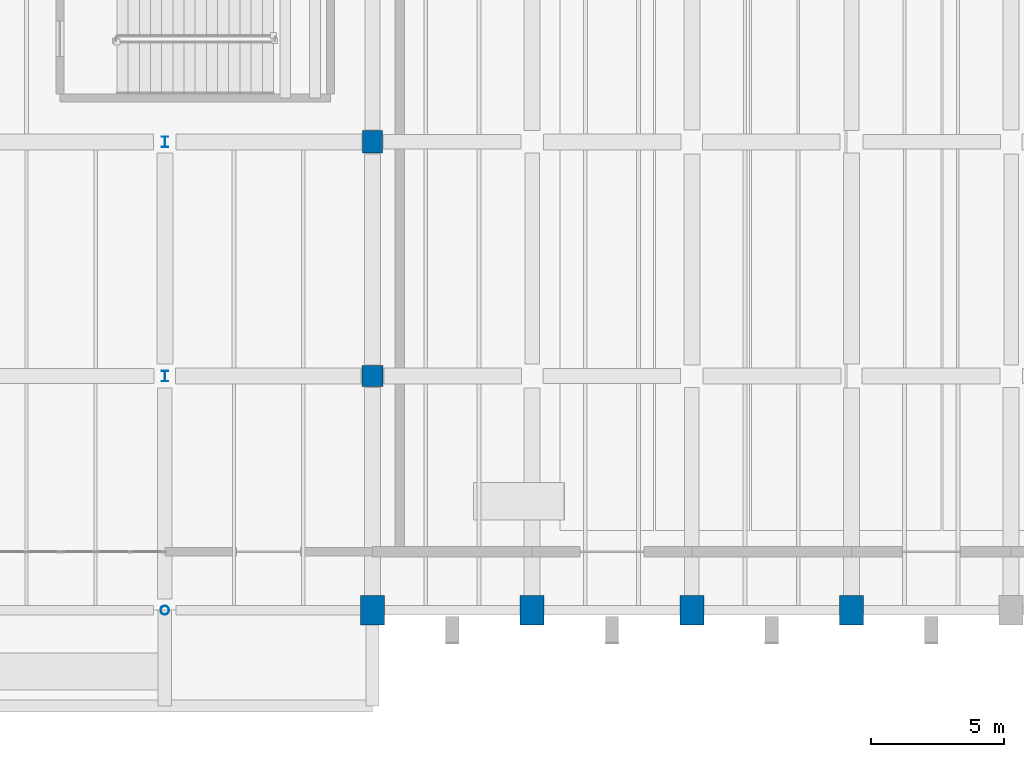
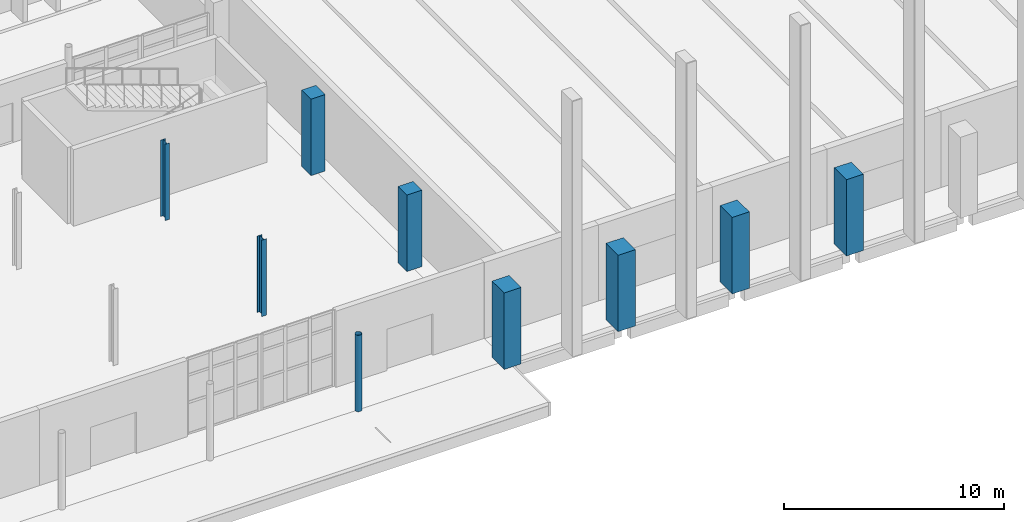
# One storey, part 5 of 76: 9 columns.
"""IFC4 building model written with IfcOpenShell, lengths in metres."""

from ifc_helpers import new_model, si_unit, direction, frame, origin, origin_2d, place, context, subcontext, project, spatial, rectangle, hollow_circle, i_section, extrude, material, material_profile, profile_set, type_object, element, save


model = new_model("IFC4")

# Units and contexts
model_context = context("Model", 3, precision=1e-05, world=origin(), true_north=direction((0.0, 1.0)))
body_context = subcontext(model_context, "Body", "Model", "MODEL_VIEW")
ifc_project = project(units=[si_unit("LENGTHUNIT", "METRE"), si_unit("AREAUNIT", "SQUARE_METRE"), si_unit("VOLUMEUNIT", "CUBIC_METRE"), si_unit("PLANEANGLEUNIT", "RADIAN"), si_unit("MASSUNIT", "GRAM", prefix="KILO")], contexts=[model_context])

# Site, building, storey
site_placement = place(None, origin())
site = spatial("IfcSite", under=ifc_project, at=site_placement, CompositionType="ELEMENT")
building_placement = place(site_placement, origin())
building = spatial("IfcBuilding", under=site, at=building_placement, Name="Varnakota Cinema and Media Centre", CompositionType="ELEMENT")
storey_placement = place(building_placement, origin())
storey = spatial("IfcBuildingStorey", under=building, at=storey_placement, Name="L00", CompositionType="ELEMENT", Elevation=0.0)

# Columns
ifc_material_1 = material(Name="Concrete M40", Category="concrete")
ifc_material_profile_1 = material_profile(ifc_material_1, rectangle(XDim=0.75, YDim=0.85009765625, at=origin_2d()), Name="RC 750x850")
ifc_profile_set_1 = profile_set([ifc_material_profile_1], Name="Concrete M40")
column_type_1 = type_object("IfcColumnType", Name="COL-RC-750x850", PredefinedType="COLUMN", material=ifc_profile_set_1)
column_1_placement = place(storey_placement, frame((75.0, 17.60009765625, 0.0), z_axis=(0.0, 0.0, 1.0), x_axis=(1.0, 0.0, 0.0)))
element("IfcColumn", 1, at=column_1_placement, inside=storey, type_object=column_type_1, Name="L00 column K/3", PredefinedType="COLUMN", context=body_context, shape_type="SweptSolid", body=[
    extrude(rectangle(XDim=0.75, YDim=0.85009765625, at=origin_2d()), origin(), (0.0, 0.0, 1.0), 4.25),
])
ifc_material_2 = material(Name="Concrete M40", Category="concrete")
ifc_material_profile_2 = material_profile(ifc_material_2, rectangle(XDim=0.800048828125, YDim=0.800048828125, at=origin_2d()), Name="RC 800x800")
ifc_profile_set_2 = profile_set([ifc_material_profile_2], Name="Concrete M40")
column_type_2 = type_object("IfcColumnType", Name="COL-RC-800x800", PredefinedType="COLUMN", material=ifc_profile_set_2)
column_2_placement = place(storey_placement, frame((75.0, 8.800048828125, 0.0), z_axis=(0.0, 0.0, 1.0), x_axis=(1.0, 0.0, 0.0)))
element("IfcColumn", 2, at=column_2_placement, inside=storey, type_object=column_type_2, Name="L00 column K/2", PredefinedType="COLUMN", context=body_context, shape_type="SweptSolid", body=[
    extrude(rectangle(XDim=0.800048828125, YDim=0.800048828125, at=origin_2d()), origin(), (0.0, 0.0, 1.0), 4.25),
])
ifc_material_3 = material(Name="Concrete M50", Category="concrete")
ifc_material_profile_3 = material_profile(ifc_material_3, rectangle(XDim=0.89990234375, YDim=1.10009765625, at=origin_2d()), Name="RC 900x1100")
ifc_profile_set_3 = profile_set([ifc_material_profile_3], Name="Concrete M50")
column_type_3 = type_object("IfcColumnType", Name="COL-RC-900x1100", PredefinedType="COLUMN", material=ifc_profile_set_3)
for number, where, z_axis, x_axis, name in (
    (3, (75.0, 0.0, 0.0), (0.0, 0.0, 1.0), (1.0, 0.0, 0.0), "L00 column K/1"),
    (4, (81.0, 0.0, 0.0), (0.0, 0.0, 1.0), (1.0, 0.0, 0.0), "L00 column L/1"),
    (5, (87.0, 0.0, 0.0), (0.0, 0.0, 1.0), (1.0, 0.0, 0.0), "L00 column M/1"),
    (6, (93.0, 0.0, 0.0), (0.0, 0.0, 1.0), (1.0, 0.0, 0.0), "L00 column N/1"),
):
    element("IfcColumn", number, at=place(storey_placement, frame(where, z_axis=z_axis, x_axis=x_axis)), inside=storey, type_object=column_type_3, Name=name, PredefinedType="COLUMN", context=body_context, shape_type="SweptSolid", body=[
        extrude(rectangle(XDim=0.89990234375, YDim=1.10009765625, at=origin_2d()), origin(), (0.0, 0.0, 1.0), 4.25),
    ])
ifc_material_4 = material(Name="Structural steel S355 (YSt 355)", Category="steel")
ifc_material_profile_4 = material_profile(ifc_material_4, hollow_circle(Radius=0.161865234375, WallThickness=0.010009765625, at=origin_2d()), Name="CHS 323.9x10.0")
ifc_profile_set_4 = profile_set([ifc_material_profile_4], Name="Structural steel S355 (YSt 355)")
column_type_4 = type_object("IfcColumnType", Name="COL-ST-CHS324", PredefinedType="COLUMN", material=ifc_profile_set_4)
column_3_placement = place(storey_placement, frame((67.199951171875, 0.0, 0.0), z_axis=(0.0, 0.0, 1.0), x_axis=(1.0, 0.0, 0.0)))
element("IfcColumn", 7, at=column_3_placement, inside=storey, type_object=column_type_4, Name="L00 column J/1", PredefinedType="COLUMN", context=body_context, shape_type="SweptSolid", body=[
    extrude(hollow_circle(Radius=0.161865234375, WallThickness=0.010009765625, at=origin_2d()), origin(), (0.0, 0.0, 1.0), 4.25),
])
ifc_material_5 = material(Name="Structural steel Grade 350 (E350)", Category="steel")
ifc_material_profile_5 = material_profile(ifc_material_5, i_section(OverallWidth=0.25, OverallDepth=0.39990234375, WebThickness=0.010498046875, FlangeThickness=0.0126953125, FilletRadius=0.011962890625, at=origin_2d()), Name="ISHB 400")
ifc_profile_set_5 = profile_set([ifc_material_profile_5], Name="Structural steel Grade 350 (E350)")
column_type_5 = type_object("IfcColumnType", Name="COL-ST-ISHB400", PredefinedType="COLUMN", material=ifc_profile_set_5)
for number, where, z_axis, x_axis, name in (
    (8, (67.199951171875, 8.800048828125, 0.0), (0.0, 0.0, 1.0), (1.0, 0.0, 0.0), "L00 column J/2"),
    (9, (67.199951171875, 17.60009765625, 0.0), (0.0, 0.0, 1.0), (1.0, 0.0, 0.0), "L00 column J/3"),
):
    element("IfcColumn", number, at=place(storey_placement, frame(where, z_axis=z_axis, x_axis=x_axis)), inside=storey, type_object=column_type_5, Name=name, PredefinedType="COLUMN", context=body_context, shape_type="SweptSolid", body=[
        extrude(i_section(OverallWidth=0.25, OverallDepth=0.39990234375, WebThickness=0.010498046875, FlangeThickness=0.0126953125, FilletRadius=0.011962890625, at=origin_2d()), origin(), (0.0, 0.0, 1.0), 4.25),
    ])

save(model, "model.ifc")
